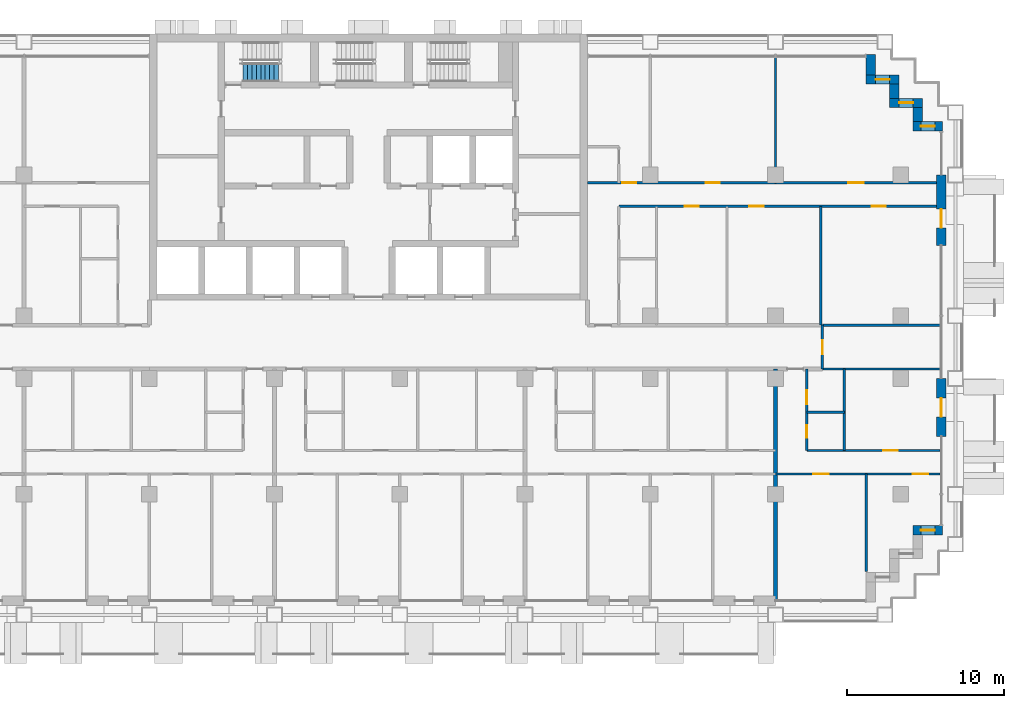
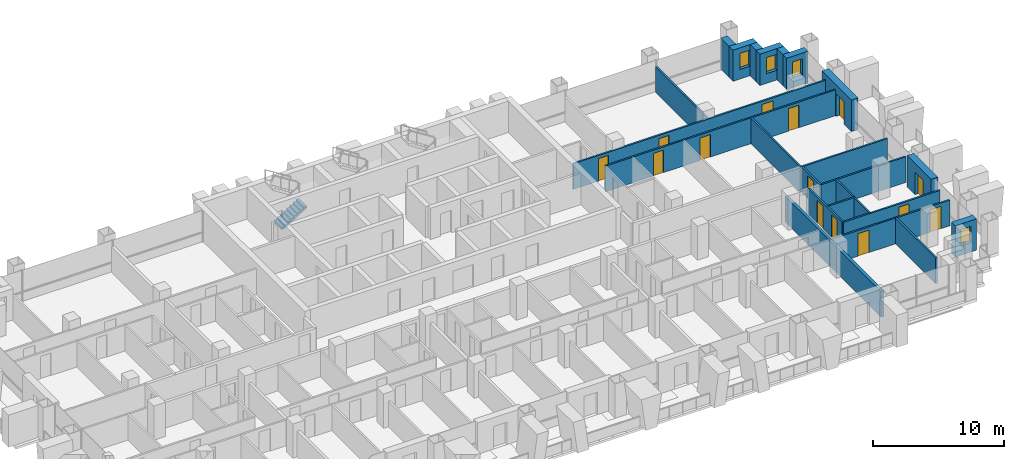
# One storey, part 14 of 19: 23 walls, 14 doors, 4 windows, 1 stair flight, 18 openings, 1 element without a shape of its own.
"""IFC4 building model written with IfcOpenShell, lengths in metres."""

from ifc_helpers import new_model, si_unit, direction, frame, frame_2d, origin, place, context, subcontext, project, spatial, polyline, rectangle, outline, extrude, material, layer, layer_set, type_object, element, fill, aggregate, save


model = new_model("IFC4")

# Units and contexts
model_context = context("Model", 3, precision=1e-05, world=origin(), true_north=direction((0.0, 1.0)))
body_context = subcontext(model_context, "Body", "Model", "MODEL_VIEW")
ifc_project = project(units=[si_unit("LENGTHUNIT", "METRE"), si_unit("AREAUNIT", "SQUARE_METRE"), si_unit("VOLUMEUNIT", "CUBIC_METRE"), si_unit("PLANEANGLEUNIT", "RADIAN"), si_unit("MASSUNIT", "GRAM", prefix="KILO")], contexts=[model_context])

# Site, building, storey
site_placement = place(None, origin())
site = spatial("IfcSite", under=ifc_project, at=site_placement, CompositionType="ELEMENT")
building_placement = place(site_placement, origin())
building = spatial("IfcBuilding", under=site, at=building_placement, Name="Vidyagriha Tower", CompositionType="ELEMENT")
storey_placement = place(building_placement, frame((0.0, 0.0, 57.60009765625)))
storey = spatial("IfcBuildingStorey", under=building, at=storey_placement, Name="L15", CompositionType="ELEMENT", Elevation=57.60009765625)

# Wall, opening, window
ifc_material_1 = material(Name="Precast concrete C40/50 with brick facing", Category="concrete")
ifc_layer_1 = layer(ifc_material_1, 0.60009765625)
ifc_layer_set_1 = layer_set([ifc_layer_1], Name="Precast concrete C40/50 with brick facing")
wall_type_1 = type_object("IfcWallType", Name="Brick-faced precast wall 600", PredefinedType="STANDARD", material=ifc_layer_set_1)
wall_1_placement = place(storey_placement, frame((36.679931640625, 14.10009765625, 0.0), z_axis=(0.0, 0.0, 1.0), x_axis=(-1.0, 0.0, 0.0)))
wall_1 = element("IfcWall", 1, at=wall_1_placement, inside=storey, type_object=wall_type_1, Name="Stepped corner wall L15 R01", PredefinedType="STANDARD", context=body_context, shape_type="SweptSolid", body=[
    extrude(rectangle(XDim=1.8798828125, YDim=0.60009765625, at=frame_2d((0.93994140625, 0.0))), origin(), (0.0, 0.0, 1.0), 2.919921875),
])
opening_1_placement = place(wall_1_placement, frame((0.489990234375, 0.0, 0.89990234375)))
opening_1 = element("IfcOpeningElement", 2, at=opening_1_placement, cuts=wall_1, Name="Opening WN1", PredefinedType="OPENING", context=body_context, shape_type="SweptSolid", body=[
    extrude(rectangle(XDim=0.89990234375, YDim=1.5, at=frame_2d((0.449951171875, 0.75))), frame((0.0, 0.31005859375, 0.0), z_axis=(0.0, -1.0, 0.0), x_axis=(1.0, 0.0, 0.0)), (0.0, 0.0, 1.0), 0.6201171875),
])
ifc_material_2 = material(Name="Aluminium and glass window", Category="aluminium")
window_type = type_object("IfcWindowType", Name="Reveal window 900x1500", PartitioningType="NOTDEFINED", PredefinedType="WINDOW", material=ifc_material_2)
window_1_placement = place(opening_1_placement, origin())
window_1 = element("IfcWindow", 3, at=window_1_placement, inside=storey, type_object=window_type, Name="Reveal window L15 R01", OverallHeight=1.5, OverallWidth=0.89990234375, PartitioningType="SINGLE_PANEL", PredefinedType="WINDOW", context=body_context, shape_type="SweptSolid", body=[
    extrude(rectangle(XDim=0.89990234375, YDim=1.5, at=frame_2d((0.449951171875, 0.75))), frame((0.0, 0.030029296875, 0.0), z_axis=(0.0, -1.0, 0.0), x_axis=(1.0, 0.0, 0.0)), (0.0, 0.0, 1.0), 0.06005859375),
])
fill(opening_1, window_1)

# Wall
wall_2_placement = place(storey_placement, frame((35.10009765625, 14.39990234375, 0.0), z_axis=(0.0, 0.0, 1.0), x_axis=(0.0, 1.0, 0.0)))
element("IfcWall", 4, at=wall_2_placement, inside=storey, type_object=wall_type_1, Name="Stepped corner wall L15 R02", PredefinedType="STANDARD", context=body_context, shape_type="SweptSolid", body=[
    extrude(rectangle(XDim=0.900146484375, YDim=0.60009765625, at=frame_2d((0.4501953125, 0.0))), origin(), (0.0, 0.0, 1.0), 2.919921875),
])

# Wall, opening, window
wall_3_placement = place(storey_placement, frame((35.39990234375, 15.60009765625, 0.0), z_axis=(0.0, 0.0, 1.0), x_axis=(-1.0, 0.0, 0.0)))
wall_3 = element("IfcWall", 5, at=wall_3_placement, inside=storey, type_object=wall_type_1, Name="Stepped corner wall L15 R03", PredefinedType="STANDARD", context=body_context, shape_type="SweptSolid", body=[
    extrude(rectangle(XDim=2.099853515625, YDim=0.60009765625, at=frame_2d((1.0498046875, 0.0))), origin(), (0.0, 0.0, 1.0), 2.919921875),
])
opening_2_placement = place(wall_3_placement, frame((0.60009765625, 0.0, 0.89990234375)))
opening_2 = element("IfcOpeningElement", 6, at=opening_2_placement, cuts=wall_3, Name="Opening WN1", PredefinedType="OPENING", context=body_context, shape_type="SweptSolid", body=[
    extrude(rectangle(XDim=0.89990234375, YDim=1.5, at=frame_2d((0.449951171875, 0.75))), frame((0.0, 0.31005859375, 0.0), z_axis=(0.0, -1.0, 0.0), x_axis=(1.0, 0.0, 0.0)), (0.0, 0.0, 1.0), 0.6201171875),
])
window_2_placement = place(opening_2_placement, origin())
window_2 = element("IfcWindow", 7, at=window_2_placement, inside=storey, type_object=window_type, Name="Reveal window L15 R03", OverallHeight=1.5, OverallWidth=0.89990234375, PartitioningType="SINGLE_PANEL", PredefinedType="WINDOW", context=body_context, shape_type="SweptSolid", body=[
    extrude(rectangle(XDim=0.89990234375, YDim=1.5, at=frame_2d((0.449951171875, 0.75))), frame((0.0, 0.030029296875, 0.0), z_axis=(0.0, -1.0, 0.0), x_axis=(1.0, 0.0, 0.0)), (0.0, 0.0, 1.0), 0.06005859375),
])
fill(opening_2, window_2)

# Wall
wall_4_placement = place(storey_placement, frame((33.60009765625, 15.89990234375, 0.0), z_axis=(0.0, 0.0, 1.0), x_axis=(0.0, 1.0, 0.0)))
element("IfcWall", 8, at=wall_4_placement, inside=storey, type_object=wall_type_1, Name="Stepped corner wall L15 R04", PredefinedType="STANDARD", context=body_context, shape_type="SweptSolid", body=[
    extrude(rectangle(XDim=0.900146484375, YDim=0.60009765625, at=frame_2d((0.4501953125, 0.0))), origin(), (0.0, 0.0, 1.0), 2.919921875),
])

# Wall, opening, window
wall_5_placement = place(storey_placement, frame((33.89990234375, 17.10009765625, 0.0), z_axis=(0.0, 0.0, 1.0), x_axis=(-1.0, 0.0, 0.0)))
wall_5 = element("IfcWall", 9, at=wall_5_placement, inside=storey, type_object=wall_type_1, Name="Stepped corner wall L15 R05", PredefinedType="STANDARD", context=body_context, shape_type="SweptSolid", body=[
    extrude(rectangle(XDim=2.099853515625, YDim=0.60009765625, at=frame_2d((1.0498046875, 0.0))), origin(), (0.0, 0.0, 1.0), 2.919921875),
])
opening_3_placement = place(wall_5_placement, frame((0.60009765625, 0.0, 0.89990234375)))
opening_3 = element("IfcOpeningElement", 10, at=opening_3_placement, cuts=wall_5, Name="Opening WN1", PredefinedType="OPENING", context=body_context, shape_type="SweptSolid", body=[
    extrude(rectangle(XDim=0.89990234375, YDim=1.5, at=frame_2d((0.449951171875, 0.75))), frame((0.0, 0.31005859375, 0.0), z_axis=(0.0, -1.0, 0.0), x_axis=(1.0, 0.0, 0.0)), (0.0, 0.0, 1.0), 0.6201171875),
])
window_3_placement = place(opening_3_placement, origin())
window_3 = element("IfcWindow", 11, at=window_3_placement, inside=storey, type_object=window_type, Name="Reveal window L15 R05", OverallHeight=1.5, OverallWidth=0.89990234375, PartitioningType="SINGLE_PANEL", PredefinedType="WINDOW", context=body_context, shape_type="SweptSolid", body=[
    extrude(rectangle(XDim=0.89990234375, YDim=1.5, at=frame_2d((0.449951171875, 0.75))), frame((0.0, 0.030029296875, 0.0), z_axis=(0.0, -1.0, 0.0), x_axis=(1.0, 0.0, 0.0)), (0.0, 0.0, 1.0), 0.06005859375),
])
fill(opening_3, window_3)

# Wall
wall_6_placement = place(storey_placement, frame((32.10009765625, 17.39990234375, 0.0), z_axis=(0.0, 0.0, 1.0), x_axis=(0.0, 1.0, 0.0)))
element("IfcWall", 12, at=wall_6_placement, inside=storey, type_object=wall_type_1, Name="Stepped corner wall L15 R06", PredefinedType="STANDARD", context=body_context, shape_type="SweptSolid", body=[
    extrude(rectangle(XDim=1.280029296875, YDim=0.60009765625, at=frame_2d((0.64013671875, 0.0))), origin(), (0.0, 0.0, 1.0), 2.919921875),
])

# Wall, opening, window
wall_7_placement = place(storey_placement, frame((34.800048828125, -11.699951171875, 0.0)))
wall_7 = element("IfcWall", 13, at=wall_7_placement, inside=storey, type_object=wall_type_1, Name="Stepped corner wall L15 R29", PredefinedType="STANDARD", context=body_context, shape_type="SweptSolid", body=[
    extrude(rectangle(XDim=1.8798828125, YDim=0.60009765625, at=frame_2d((0.93994140625, 0.0))), origin(), (0.0, 0.0, 1.0), 2.919921875),
])
opening_4_placement = place(wall_7_placement, frame((0.489990234375, 0.0, 0.89990234375)))
opening_4 = element("IfcOpeningElement", 14, at=opening_4_placement, cuts=wall_7, Name="Opening WN1", PredefinedType="OPENING", context=body_context, shape_type="SweptSolid", body=[
    extrude(rectangle(XDim=0.89990234375, YDim=1.5, at=frame_2d((0.449951171875, 0.75))), frame((0.0, 0.31005859375, 0.0), z_axis=(0.0, -1.0, 0.0), x_axis=(1.0, 0.0, 0.0)), (0.0, 0.0, 1.0), 0.6201171875),
])
window_4_placement = place(opening_4_placement, origin())
window_4 = element("IfcWindow", 15, at=window_4_placement, inside=storey, type_object=window_type, Name="Reveal window L15 R29", OverallHeight=1.5, OverallWidth=0.89990234375, PartitioningType="SINGLE_PANEL", PredefinedType="WINDOW", context=body_context, shape_type="SweptSolid", body=[
    extrude(rectangle(XDim=0.89990234375, YDim=1.5, at=frame_2d((0.449951171875, 0.75))), frame((0.0, 0.030029296875, 0.0), z_axis=(0.0, -1.0, 0.0), x_axis=(1.0, 0.0, 0.0)), (0.0, 0.0, 1.0), 0.06005859375),
])
fill(opening_4, window_4)

# Wall, opening, door
wall_8_placement = place(storey_placement, frame((36.60009765625, -5.699951171875, 0.0), z_axis=(0.0, 0.0, 1.0), x_axis=(0.0, 1.0, 0.0)))
wall_8 = element("IfcWall", 16, at=wall_8_placement, inside=storey, type_object=wall_type_1, Name="Brick door bay wall L15 R30.3", PredefinedType="STANDARD", context=body_context, shape_type="SweptSolid", body=[
    extrude(rectangle(XDim=3.699951171875, YDim=0.60009765625, at=frame_2d((1.85009765625, 0.0))), origin(), (0.0, 0.0, 1.0), 2.919921875),
])
opening_5_placement = place(wall_8_placement, frame((1.25, 0.0, 0.0)))
opening_5 = element("IfcOpeningElement", 17, at=opening_5_placement, cuts=wall_8, Name="Opening D15-91", PredefinedType="OPENING", context=body_context, shape_type="SweptSolid", body=[
    extrude(rectangle(XDim=1.199951171875, YDim=2.10009765625, at=frame_2d((0.60009765625, 1.050048828125))), frame((0.0, 0.31005859375, 0.0), z_axis=(0.0, -1.0, 0.0), x_axis=(1.0, 0.0, 0.0)), (0.0, 0.0, 1.0), 0.6201171875),
])
ifc_material_3 = material(Name="Aluminium framed glazed sliding door", Category="aluminium")
door_type_1 = type_object("IfcDoorType", Name="Balcony sliding door 1200x2100", OperationType="NOTDEFINED", PredefinedType="DOOR", material=ifc_material_3)
door_1_placement = place(opening_5_placement, origin())
door_1 = element("IfcDoor", 18, at=door_1_placement, inside=storey, type_object=door_type_1, Name="Door D15-91", OperationType="SLIDING_TO_LEFT", OverallHeight=2.10009765625, OverallWidth=1.199951171875, PredefinedType="DOOR", context=body_context, shape_type="SweptSolid", body=[
    extrude(rectangle(XDim=1.199951171875, YDim=2.10009765625, at=frame_2d((0.60009765625, 1.050048828125))), frame((0.0, 0.02490234375, 0.0), z_axis=(0.0, -1.0, 0.0), x_axis=(1.0, 0.0, 0.0)), (0.0, 0.0, 1.0), 0.050048828125),
])
fill(opening_5, door_1)

wall_9_placement = place(storey_placement, frame((36.60009765625, 6.5, 0.0), z_axis=(0.0, 0.0, 1.0), x_axis=(0.0, 1.0, 0.0)))
wall_9 = element("IfcWall", 19, at=wall_9_placement, inside=storey, type_object=wall_type_1, Name="Brick door bay wall L15 R30.6", PredefinedType="STANDARD", context=body_context, shape_type="SweptSolid", body=[
    extrude(rectangle(XDim=4.5, YDim=0.60009765625, at=frame_2d((2.25, 0.0))), origin(), (0.0, 0.0, 1.0), 2.919921875),
])
opening_6_placement = place(wall_9_placement, frame((1.125, 0.0, 0.0)))
opening_6 = element("IfcOpeningElement", 20, at=opening_6_placement, cuts=wall_9, Name="Opening D15-92", PredefinedType="OPENING", context=body_context, shape_type="SweptSolid", body=[
    extrude(rectangle(XDim=1.199951171875, YDim=2.10009765625, at=frame_2d((0.60009765625, 1.050048828125))), frame((0.0, 0.31005859375, 0.0), z_axis=(0.0, -1.0, 0.0), x_axis=(1.0, 0.0, 0.0)), (0.0, 0.0, 1.0), 0.6201171875),
])
door_2_placement = place(opening_6_placement, origin())
door_2 = element("IfcDoor", 21, at=door_2_placement, inside=storey, type_object=door_type_1, Name="Door D15-92", OperationType="SLIDING_TO_LEFT", OverallHeight=2.10009765625, OverallWidth=1.199951171875, PredefinedType="DOOR", context=body_context, shape_type="SweptSolid", body=[
    extrude(rectangle(XDim=1.199951171875, YDim=2.10009765625, at=frame_2d((0.60009765625, 1.050048828125))), frame((0.0, 0.02490234375, 0.0), z_axis=(0.0, -1.0, 0.0), x_axis=(1.0, 0.0, 0.0)), (0.0, 0.0, 1.0), 0.050048828125),
])
fill(opening_6, door_2)

# Walls
ifc_material_4 = material(Name="Fired clay brick masonry", Category="masonry")
ifc_layer_2 = layer(ifc_material_4, 0.25)
ifc_layer_set_2 = layer_set([ifc_layer_2], Name="Fired clay brick masonry")
wall_type_2 = type_object("IfcWallType", Name="Fired clay brick demising wall 250", PredefinedType="PARTITIONING", material=ifc_layer_set_2)
wall_10_placement = place(storey_placement, frame((26.0, -1.39990234375, 0.0), z_axis=(0.0, 0.0, 1.0), x_axis=(0.0, -1.0, 0.0)))
element("IfcWall", 22, at=wall_10_placement, inside=storey, type_object=wall_type_2, Name="Wall all-L15-w092", PredefinedType="PARTITIONING", context=body_context, shape_type="SweptSolid", body=[
    extrude(rectangle(XDim=14.710205078125, YDim=0.25, at=frame_2d((7.35498046875, 0.0))), origin(), (0.0, 0.0, 1.0), 2.39990234375),
])
ifc_material_5 = material(Name="Gypsum board partition")
ifc_layer_3 = layer(ifc_material_5, 0.14990234375)
ifc_layer_set_3 = layer_set([ifc_layer_3], Name="Gypsum board partition")
wall_type_3 = type_object("IfcWallType", Name="Gypsum board partition 150", PredefinedType="PARTITIONING", material=ifc_layer_set_3)
wall_11_placement = place(storey_placement, frame((30.39990234375, -4.14990234375, 0.0), z_axis=(0.0, 0.0, 1.0), x_axis=(-1.0, 0.0, 0.0)))
element("IfcWall", 23, at=wall_11_placement, inside=storey, type_object=wall_type_3, Name="Wall all-L15-w083", PredefinedType="PARTITIONING", context=body_context, shape_type="SweptSolid", body=[
    extrude(rectangle(XDim=2.39990234375, YDim=0.14990234375, at=frame_2d((1.199951171875, 0.0))), origin(), (0.0, 0.0, 1.0), 2.39990234375),
])
wall_12_placement = place(storey_placement, frame((30.39990234375, -1.39990234375, 0.0), z_axis=(0.0, 0.0, 1.0), x_axis=(0.0, -1.0, 0.0)))
element("IfcWall", 24, at=wall_12_placement, inside=storey, type_object=wall_type_3, Name="Wall all-L15-w084", PredefinedType="PARTITIONING", context=body_context, shape_type="SweptSolid", body=[
    extrude(rectangle(XDim=5.2001953125, YDim=0.14990234375, at=frame_2d((2.60009765625, 0.0))), origin(), (0.0, 0.0, 1.0), 2.39990234375),
])

# Wall, opening, door
wall_13_placement = place(storey_placement, frame((28.0, -6.60009765625, 0.0)))
wall_13 = element("IfcWall", 25, at=wall_13_placement, inside=storey, type_object=wall_type_3, Name="Wall all-L15-w085", PredefinedType="PARTITIONING", context=body_context, shape_type="SweptSolid", body=[
    extrude(rectangle(XDim=8.52001953125, YDim=0.14990234375, at=frame_2d((4.260009765625, 0.0))), origin(), (0.0, 0.0, 1.0), 2.39990234375),
])
opening_7_placement = place(wall_13_placement, frame((4.89990234375, 0.0, 0.0)))
opening_7 = element("IfcOpeningElement", 26, at=opening_7_placement, cuts=wall_13, Name="Opening D15-54", PredefinedType="OPENING", context=body_context, shape_type="SweptSolid", body=[
    extrude(rectangle(XDim=0.89990234375, YDim=2.10009765625, at=frame_2d((0.449951171875, 1.050048828125))), frame((0.0, 0.0849609375, 0.0), z_axis=(0.0, -1.0, 0.0), x_axis=(1.0, 0.0, 0.0)), (0.0, 0.0, 1.0), 0.169921875),
])
ifc_material_6 = material(Name="Timber door leaf", Category="wood")
door_type_2 = type_object("IfcDoorType", Name="Room door 900x2100", OperationType="NOTDEFINED", PredefinedType="DOOR", material=ifc_material_6)
door_3_placement = place(opening_7_placement, origin())
door_3 = element("IfcDoor", 27, at=door_3_placement, inside=storey, type_object=door_type_2, Name="Door D15-54", OperationType="SINGLE_SWING_RIGHT", OverallHeight=2.10009765625, OverallWidth=0.89990234375, PredefinedType="DOOR", context=body_context, shape_type="SweptSolid", body=[
    extrude(rectangle(XDim=0.89990234375, YDim=2.10009765625, at=frame_2d((0.449951171875, 1.050048828125))), frame((0.0, 0.02490234375, 0.0), z_axis=(0.0, -1.0, 0.0), x_axis=(1.0, 0.0, 0.0)), (0.0, 0.0, 1.0), 0.050048828125),
])
fill(opening_7, door_3)

# Wall, openings, doors
wall_14_placement = place(storey_placement, frame((36.52001953125, -8.10009765625, 0.0), z_axis=(0.0, 0.0, 1.0), x_axis=(-1.0, 0.0, 0.0)))
wall_14 = element("IfcWall", 28, at=wall_14_placement, inside=storey, type_object=wall_type_3, Name="Wall all-L15-w087", PredefinedType="PARTITIONING", context=body_context, shape_type="SweptSolid", body=[
    extrude(rectangle(XDim=10.52001953125, YDim=0.14990234375, at=frame_2d((5.260009765625, 0.0))), origin(), (0.0, 0.0, 1.0), 2.39990234375),
])
opening_8_placement = place(wall_14_placement, frame((7.1201171875, 0.0, 0.0)))
opening_8 = element("IfcOpeningElement", 29, at=opening_8_placement, cuts=wall_14, Name="Opening D15-55", PredefinedType="OPENING", context=body_context, shape_type="SweptSolid", body=[
    extrude(rectangle(XDim=1.0, YDim=2.10009765625, at=frame_2d((0.5, 1.050048828125))), frame((0.0, 0.0849609375, 0.0), z_axis=(0.0, -1.0, 0.0), x_axis=(1.0, 0.0, 0.0)), (0.0, 0.0, 1.0), 0.169921875),
])
opening_9_placement = place(wall_14_placement, frame((0.760009765625, 0.0, 0.0)))
opening_9 = element("IfcOpeningElement", 30, at=opening_9_placement, cuts=wall_14, Name="Opening D15-56", PredefinedType="OPENING", context=body_context, shape_type="SweptSolid", body=[
    extrude(rectangle(XDim=1.0, YDim=2.10009765625, at=frame_2d((0.5, 1.050048828125))), frame((0.0, 0.0849609375, 0.0), z_axis=(0.0, -1.0, 0.0), x_axis=(1.0, 0.0, 0.0)), (0.0, 0.0, 1.0), 0.169921875),
])
ifc_material_7 = material(Name="Timber door leaf", Category="wood")
door_type_3 = type_object("IfcDoorType", Name="Room door 1000x2100", OperationType="NOTDEFINED", PredefinedType="DOOR", material=ifc_material_7)
door_4_placement = place(opening_8_placement, origin())
door_4 = element("IfcDoor", 31, at=door_4_placement, inside=storey, type_object=door_type_3, Name="Door D15-55", OperationType="SINGLE_SWING_RIGHT", OverallHeight=2.10009765625, OverallWidth=1.0, PredefinedType="DOOR", context=body_context, shape_type="SweptSolid", body=[
    extrude(rectangle(XDim=1.0, YDim=2.10009765625, at=frame_2d((0.5, 1.050048828125))), frame((0.0, 0.02490234375, 0.0), z_axis=(0.0, -1.0, 0.0), x_axis=(1.0, 0.0, 0.0)), (0.0, 0.0, 1.0), 0.050048828125),
])
fill(opening_8, door_4)
door_5_placement = place(opening_9_placement, origin())
door_5 = element("IfcDoor", 32, at=door_5_placement, inside=storey, type_object=door_type_3, Name="Door D15-56", OperationType="SINGLE_SWING_LEFT", OverallHeight=2.10009765625, OverallWidth=1.0, PredefinedType="DOOR", context=body_context, shape_type="SweptSolid", body=[
    extrude(rectangle(XDim=1.0, YDim=2.10009765625, at=frame_2d((0.5, 1.050048828125))), frame((0.0, 0.02490234375, 0.0), z_axis=(0.0, -1.0, 0.0), x_axis=(1.0, 0.0, 0.0)), (0.0, 0.0, 1.0), 0.050048828125),
])
fill(opening_9, door_5)

# Walls
wall_15_placement = place(storey_placement, frame((31.800048828125, -8.10009765625, 0.0), z_axis=(0.0, 0.0, 1.0), x_axis=(0.0, -1.0, 0.0)))
element("IfcWall", 33, at=wall_15_placement, inside=storey, type_object=wall_type_3, Name="Wall all-L15-w090", PredefinedType="PARTITIONING", context=body_context, shape_type="SweptSolid", body=[
    extrude(rectangle(XDim=6.219970703125, YDim=0.14990234375, at=frame_2d((3.10986328125, 0.0))), origin(), (0.0, 0.0, 1.0), 2.39990234375),
])
wall_16_placement = place(storey_placement, frame((36.52001953125, -1.39990234375, 0.0), z_axis=(0.0, 0.0, 1.0), x_axis=(-1.0, 0.0, 0.0)))
element("IfcWall", 34, at=wall_16_placement, inside=storey, type_object=wall_type_3, Name="Wall all-L15-w096", PredefinedType="PARTITIONING", context=body_context, shape_type="SweptSolid", body=[
    extrude(rectangle(XDim=7.52001953125, YDim=0.14990234375, at=frame_2d((3.760009765625, 0.0))), origin(), (0.0, 0.0, 1.0), 2.39990234375),
])
wall_17_placement = place(storey_placement, frame((28.89990234375, 9.0, 0.0), z_axis=(0.0, 0.0, 1.0), x_axis=(0.0, -1.0, 0.0)))
element("IfcWall", 35, at=wall_17_placement, inside=storey, type_object=wall_type_3, Name="Wall all-L15-w130", PredefinedType="PARTITIONING", context=body_context, shape_type="SweptSolid", body=[
    extrude(rectangle(XDim=7.60009765625, YDim=0.14990234375, at=frame_2d((3.800048828125, 0.0))), origin(), (0.0, 0.0, 1.0), 2.39990234375),
])

# Wall, openings, doors
wall_18_placement = place(storey_placement, frame((36.510009765625, 9.0, 0.0), z_axis=(0.0, 0.0, 1.0), x_axis=(-1.0, 0.0, 0.0)))
wall_18 = element("IfcWall", 36, at=wall_18_placement, inside=storey, type_object=wall_type_3, Name="Wall all-L15-w131", PredefinedType="PARTITIONING", context=body_context, shape_type="SweptSolid", body=[
    extrude(rectangle(XDim=20.510009765625, YDim=0.14990234375, at=frame_2d((10.2548828125, 0.0))), origin(), (0.0, 0.0, 1.0), 2.39990234375),
])
opening_10_placement = place(wall_18_placement, frame((15.409912109375, 0.0, 0.0)))
opening_10 = element("IfcOpeningElement", 37, at=opening_10_placement, cuts=wall_18, Name="Opening D15-72", PredefinedType="OPENING", context=body_context, shape_type="SweptSolid", body=[
    extrude(rectangle(XDim=0.89990234375, YDim=2.10009765625, at=frame_2d((0.449951171875, 1.050048828125))), frame((0.0, 0.0849609375, 0.0), z_axis=(0.0, -1.0, 0.0), x_axis=(1.0, 0.0, 0.0)), (0.0, 0.0, 1.0), 0.169921875),
])
opening_11_placement = place(wall_18_placement, frame((11.27001953125, 0.0, 0.0)))
opening_11 = element("IfcOpeningElement", 38, at=opening_11_placement, cuts=wall_18, Name="Opening D15-73", PredefinedType="OPENING", context=body_context, shape_type="SweptSolid", body=[
    extrude(rectangle(XDim=0.89990234375, YDim=2.10009765625, at=frame_2d((0.449951171875, 1.050048828125))), frame((0.0, 0.0849609375, 0.0), z_axis=(0.0, -1.0, 0.0), x_axis=(1.0, 0.0, 0.0)), (0.0, 0.0, 1.0), 0.169921875),
])
opening_12_placement = place(wall_18_placement, frame((3.4599609375, 0.0, 0.0)))
opening_12 = element("IfcOpeningElement", 39, at=opening_12_placement, cuts=wall_18, Name="Opening D15-74", PredefinedType="OPENING", context=body_context, shape_type="SweptSolid", body=[
    extrude(rectangle(XDim=0.89990234375, YDim=2.10009765625, at=frame_2d((0.449951171875, 1.050048828125))), frame((0.0, 0.0849609375, 0.0), z_axis=(0.0, -1.0, 0.0), x_axis=(1.0, 0.0, 0.0)), (0.0, 0.0, 1.0), 0.169921875),
])
door_6_placement = place(opening_10_placement, origin())
door_6 = element("IfcDoor", 40, at=door_6_placement, inside=storey, type_object=door_type_2, Name="Door D15-72", OperationType="SINGLE_SWING_RIGHT", OverallHeight=2.10009765625, OverallWidth=0.89990234375, PredefinedType="DOOR", context=body_context, shape_type="SweptSolid", body=[
    extrude(rectangle(XDim=0.89990234375, YDim=2.10009765625, at=frame_2d((0.449951171875, 1.050048828125))), frame((0.0, 0.02490234375, 0.0), z_axis=(0.0, -1.0, 0.0), x_axis=(1.0, 0.0, 0.0)), (0.0, 0.0, 1.0), 0.050048828125),
])
fill(opening_10, door_6)
door_7_placement = place(opening_11_placement, origin())
door_7 = element("IfcDoor", 41, at=door_7_placement, inside=storey, type_object=door_type_2, Name="Door D15-73", OperationType="SINGLE_SWING_RIGHT", OverallHeight=2.10009765625, OverallWidth=0.89990234375, PredefinedType="DOOR", context=body_context, shape_type="SweptSolid", body=[
    extrude(rectangle(XDim=0.89990234375, YDim=2.10009765625, at=frame_2d((0.449951171875, 1.050048828125))), frame((0.0, 0.02490234375, 0.0), z_axis=(0.0, -1.0, 0.0), x_axis=(1.0, 0.0, 0.0)), (0.0, 0.0, 1.0), 0.050048828125),
])
fill(opening_11, door_7)
door_8_placement = place(opening_12_placement, origin())
door_8 = element("IfcDoor", 42, at=door_8_placement, inside=storey, type_object=door_type_2, Name="Door D15-74", OperationType="SINGLE_SWING_LEFT", OverallHeight=2.10009765625, OverallWidth=0.89990234375, PredefinedType="DOOR", context=body_context, shape_type="SweptSolid", body=[
    extrude(rectangle(XDim=0.89990234375, YDim=2.10009765625, at=frame_2d((0.449951171875, 1.050048828125))), frame((0.0, 0.02490234375, 0.0), z_axis=(0.0, -1.0, 0.0), x_axis=(1.0, 0.0, 0.0)), (0.0, 0.0, 1.0), 0.050048828125),
])
fill(opening_12, door_8)

wall_19_placement = place(storey_placement, frame((14.0, 10.5, 0.0)))
wall_19 = element("IfcWall", 43, at=wall_19_placement, inside=storey, type_object=wall_type_3, Name="Wall all-L15-w135", PredefinedType="PARTITIONING", context=body_context, shape_type="SweptSolid", body=[
    extrude(rectangle(XDim=22.510009765625, YDim=0.14990234375, at=frame_2d((11.2548828125, 0.0))), origin(), (0.0, 0.0, 1.0), 2.39990234375),
])
opening_13_placement = place(wall_19_placement, frame((2.2099609375, 0.0, 0.0)))
opening_13 = element("IfcOpeningElement", 44, at=opening_13_placement, cuts=wall_19, Name="Opening D15-75", PredefinedType="OPENING", context=body_context, shape_type="SweptSolid", body=[
    extrude(rectangle(XDim=0.89990234375, YDim=2.10009765625, at=frame_2d((0.449951171875, 1.050048828125))), frame((0.0, 0.0849609375, 0.0), z_axis=(0.0, -1.0, 0.0), x_axis=(1.0, 0.0, 0.0)), (0.0, 0.0, 1.0), 0.169921875),
])
opening_14_placement = place(wall_19_placement, frame((7.550048828125, 0.0, 0.0)))
opening_14 = element("IfcOpeningElement", 45, at=opening_14_placement, cuts=wall_19, Name="Opening D15-76", PredefinedType="OPENING", context=body_context, shape_type="SweptSolid", body=[
    extrude(rectangle(XDim=0.89990234375, YDim=2.10009765625, at=frame_2d((0.449951171875, 1.050048828125))), frame((0.0, 0.0849609375, 0.0), z_axis=(0.0, -1.0, 0.0), x_axis=(1.0, 0.0, 0.0)), (0.0, 0.0, 1.0), 0.169921875),
])
opening_15_placement = place(wall_19_placement, frame((16.64990234375, 0.0, 0.0)))
opening_15 = element("IfcOpeningElement", 46, at=opening_15_placement, cuts=wall_19, Name="Opening D15-77", PredefinedType="OPENING", context=body_context, shape_type="SweptSolid", body=[
    extrude(rectangle(XDim=1.0, YDim=2.10009765625, at=frame_2d((0.5, 1.050048828125))), frame((0.0, 0.0849609375, 0.0), z_axis=(0.0, -1.0, 0.0), x_axis=(1.0, 0.0, 0.0)), (0.0, 0.0, 1.0), 0.169921875),
])
door_9_placement = place(opening_15_placement, origin())
door_9 = element("IfcDoor", 47, at=door_9_placement, inside=storey, type_object=door_type_3, Name="Door D15-77", OperationType="SINGLE_SWING_RIGHT", OverallHeight=2.10009765625, OverallWidth=1.0, PredefinedType="DOOR", context=body_context, shape_type="SweptSolid", body=[
    extrude(rectangle(XDim=1.0, YDim=2.10009765625, at=frame_2d((0.5, 1.050048828125))), frame((0.0, 0.02490234375, 0.0), z_axis=(0.0, -1.0, 0.0), x_axis=(1.0, 0.0, 0.0)), (0.0, 0.0, 1.0), 0.050048828125),
])
fill(opening_15, door_9)
door_10_placement = place(opening_13_placement, origin())
door_10 = element("IfcDoor", 48, at=door_10_placement, inside=storey, type_object=door_type_2, Name="Door D15-75", OperationType="SINGLE_SWING_RIGHT", OverallHeight=2.10009765625, OverallWidth=0.89990234375, PredefinedType="DOOR", context=body_context, shape_type="SweptSolid", body=[
    extrude(rectangle(XDim=0.89990234375, YDim=2.10009765625, at=frame_2d((0.449951171875, 1.050048828125))), frame((0.0, 0.02490234375, 0.0), z_axis=(0.0, -1.0, 0.0), x_axis=(1.0, 0.0, 0.0)), (0.0, 0.0, 1.0), 0.050048828125),
])
fill(opening_13, door_10)
door_11_placement = place(opening_14_placement, origin())
door_11 = element("IfcDoor", 49, at=door_11_placement, inside=storey, type_object=door_type_2, Name="Door D15-76", OperationType="SINGLE_SWING_RIGHT", OverallHeight=2.10009765625, OverallWidth=0.89990234375, PredefinedType="DOOR", context=body_context, shape_type="SweptSolid", body=[
    extrude(rectangle(XDim=0.89990234375, YDim=2.10009765625, at=frame_2d((0.449951171875, 1.050048828125))), frame((0.0, 0.02490234375, 0.0), z_axis=(0.0, -1.0, 0.0), x_axis=(1.0, 0.0, 0.0)), (0.0, 0.0, 1.0), 0.050048828125),
])
fill(opening_14, door_11)

# Walls
wall_20_placement = place(storey_placement, frame((26.0, 18.52099609375, 0.0), z_axis=(0.0, 0.0, 1.0), x_axis=(0.0, -1.0, 0.0)))
element("IfcWall", 50, at=wall_20_placement, inside=storey, type_object=wall_type_3, Name="Wall all-L15-w140", PredefinedType="PARTITIONING", context=body_context, shape_type="SweptSolid", body=[
    extrude(rectangle(XDim=8.02099609375, YDim=0.14990234375, at=frame_2d((4.010498046875, 0.0))), origin(), (0.0, 0.0, 1.0), 2.39990234375),
])
wall_21_placement = place(storey_placement, frame((29.0, 1.39990234375, 0.0)))
element("IfcWall", 51, at=wall_21_placement, inside=storey, type_object=wall_type_3, Name="Wall all-L15-w146", PredefinedType="PARTITIONING", context=body_context, shape_type="SweptSolid", body=[
    extrude(rectangle(XDim=7.52001953125, YDim=0.14990234375, at=frame_2d((3.760009765625, 0.0))), origin(), (0.0, 0.0, 1.0), 2.39990234375),
])

# Wall, opening, door
wall_22_placement = place(storey_placement, frame((29.0, -1.39990234375, 0.0), z_axis=(0.0, 0.0, 1.0), x_axis=(0.0, 1.0, 0.0)))
wall_22 = element("IfcWall", 52, at=wall_22_placement, inside=storey, type_object=wall_type_3, Name="Wall all-L15-w149", PredefinedType="PARTITIONING", context=body_context, shape_type="SweptSolid", body=[
    extrude(rectangle(XDim=2.7998046875, YDim=0.14990234375, at=frame_2d((1.39990234375, 0.0))), origin(), (0.0, 0.0, 1.0), 2.39990234375),
])
opening_16_placement = place(wall_22_placement, frame((0.949951171875, 0.0, 0.0)))
opening_16 = element("IfcOpeningElement", 53, at=opening_16_placement, cuts=wall_22, Name="Opening D15-81", PredefinedType="OPENING", context=body_context, shape_type="SweptSolid", body=[
    extrude(rectangle(XDim=0.89990234375, YDim=2.10009765625, at=frame_2d((0.449951171875, 1.050048828125))), frame((0.0, 0.0849609375, 0.0), z_axis=(0.0, -1.0, 0.0), x_axis=(1.0, 0.0, 0.0)), (0.0, 0.0, 1.0), 0.169921875),
])
door_12_placement = place(opening_16_placement, origin())
door_12 = element("IfcDoor", 54, at=door_12_placement, inside=storey, type_object=door_type_2, Name="Door D15-81", OperationType="SINGLE_SWING_RIGHT", OverallHeight=2.10009765625, OverallWidth=0.89990234375, PredefinedType="DOOR", context=body_context, shape_type="SweptSolid", body=[
    extrude(rectangle(XDim=0.89990234375, YDim=2.10009765625, at=frame_2d((0.449951171875, 1.050048828125))), frame((0.0, 0.02490234375, 0.0), z_axis=(0.0, -1.0, 0.0), x_axis=(1.0, 0.0, 0.0)), (0.0, 0.0, 1.0), 0.050048828125),
])
fill(opening_16, door_12)

# Wall, openings, doors
ifc_material_8 = material(Name="Moisture resistant gypsum board partition")
ifc_layer_4 = layer(ifc_material_8, 0.14990234375)
ifc_layer_set_4 = layer_set([ifc_layer_4], Name="Moisture resistant gypsum board partition")
wall_type_4 = type_object("IfcWallType", Name="Gypsum board wet-area partition 150", PredefinedType="PARTITIONING", material=ifc_layer_set_4)
wall_23_placement = place(storey_placement, frame((28.0, -1.39990234375, 0.0), z_axis=(0.0, 0.0, 1.0), x_axis=(0.0, -1.0, 0.0)))
wall_23 = element("IfcWall", 55, at=wall_23_placement, inside=storey, type_object=wall_type_4, Name="Wall all-L15-w080", PredefinedType="PARTITIONING", context=body_context, shape_type="SweptSolid", body=[
    extrude(rectangle(XDim=5.2001953125, YDim=0.14990234375, at=frame_2d((2.60009765625, 0.0))), origin(), (0.0, 0.0, 1.0), 2.39990234375),
])
opening_17_placement = place(wall_23_placement, frame((1.360107421875, 0.0, 0.0)))
opening_17 = element("IfcOpeningElement", 56, at=opening_17_placement, cuts=wall_23, Name="Opening D15-52", PredefinedType="OPENING", context=body_context, shape_type="SweptSolid", body=[
    extrude(rectangle(XDim=0.89990234375, YDim=2.10009765625, at=frame_2d((0.449951171875, 1.050048828125))), frame((0.0, 0.0849609375, 0.0), z_axis=(0.0, -1.0, 0.0), x_axis=(1.0, 0.0, 0.0)), (0.0, 0.0, 1.0), 0.169921875),
])
opening_18_placement = place(wall_23_placement, frame((3.574951171875, 0.0, 0.0)))
opening_18 = element("IfcOpeningElement", 57, at=opening_18_placement, cuts=wall_23, Name="Opening D15-53", PredefinedType="OPENING", context=body_context, shape_type="SweptSolid", body=[
    extrude(rectangle(XDim=0.800048828125, YDim=2.10009765625, at=frame_2d((0.39990234375, 1.050048828125))), frame((0.0, 0.0849609375, 0.0), z_axis=(0.0, -1.0, 0.0), x_axis=(1.0, 0.0, 0.0)), (0.0, 0.0, 1.0), 0.169921875),
])
ifc_material_9 = material(Name="Timber door leaf", Category="wood")
door_type_4 = type_object("IfcDoorType", Name="Bathroom door 800x2100", OperationType="NOTDEFINED", PredefinedType="DOOR", material=ifc_material_9)
door_13_placement = place(opening_18_placement, origin())
door_13 = element("IfcDoor", 58, at=door_13_placement, inside=storey, type_object=door_type_4, Name="Door D15-53", OperationType="SINGLE_SWING_RIGHT", OverallHeight=2.10009765625, OverallWidth=0.800048828125, PredefinedType="DOOR", context=body_context, shape_type="SweptSolid", body=[
    extrude(rectangle(XDim=0.800048828125, YDim=2.10009765625, at=frame_2d((0.39990234375, 1.050048828125))), frame((0.0, 0.02490234375, 0.0), z_axis=(0.0, -1.0, 0.0), x_axis=(1.0, 0.0, 0.0)), (0.0, 0.0, 1.0), 0.050048828125),
])
fill(opening_18, door_13)
ifc_material_10 = material(Name="Timber door leaf", Category="wood")
door_type_5 = type_object("IfcDoorType", Name="Kitchen door 900x2100", OperationType="NOTDEFINED", PredefinedType="DOOR", material=ifc_material_10)
door_14_placement = place(opening_17_placement, origin())
door_14 = element("IfcDoor", 59, at=door_14_placement, inside=storey, type_object=door_type_5, Name="Door D15-52", OperationType="SINGLE_SWING_RIGHT", OverallHeight=2.10009765625, OverallWidth=0.89990234375, PredefinedType="DOOR", context=body_context, shape_type="SweptSolid", body=[
    extrude(rectangle(XDim=0.89990234375, YDim=2.10009765625, at=frame_2d((0.449951171875, 1.050048828125))), frame((0.0, 0.02490234375, 0.0), z_axis=(0.0, -1.0, 0.0), x_axis=(1.0, 0.0, 0.0)), (0.0, 0.0, 1.0), 0.050048828125),
])
fill(opening_17, door_14)

# Stair, stair flight
ifc_material_11 = material(Name="Concrete C40/50", Category="concrete")
stair_type = type_object("IfcStairType", Name="Exit stair, half-turn, precast flights", PredefinedType="HALF_TURN_STAIR", material=ifc_material_11)
stair_placement = place(storey_placement, origin())
stair = element("IfcStair", 60, at=stair_placement, inside=storey, type_object=stair_type, Name="L15 Exit Stair ST1", PredefinedType="HALF_TURN_STAIR")
ifc_material_12 = material(Name="Precast concrete C40/50", Category="concrete")
stair_flight_type = type_object("IfcStairFlightType", Name="Exit stair flight 1200 mm, precast", PredefinedType="STRAIGHT", material=ifc_material_12)
stair_flight_placement = place(storey_placement, frame((-8.0, 17.550048828125, 0.0)))
stair_flight = element("IfcStairFlight", 61, at=stair_flight_placement, type_object=stair_flight_type, Name="ST1 flight 1", NumberOfRisers=9, NumberOfTreads=8, PredefinedType="STRAIGHT", RiserHeight=0.177777778, TreadLength=0.28, context=body_context, shape_type="SweptSolid", body=[
    extrude(outline(polyline([(0.0, 0.0), (0.0, 0.177734375), (0.280029296875, 0.177734375), (0.280029296875, 0.35546875), (0.56005859375, 0.35546875), (0.56005859375, 0.533447265625), (0.840087890625, 0.533447265625), (0.840087890625, 0.711181640625), (1.1201171875, 0.711181640625), (1.1201171875, 0.888916015625), (1.39990234375, 0.888916015625), (1.39990234375, 1.066650390625), (1.679931640625, 1.066650390625), (1.679931640625, 1.244384765625), (1.9599609375, 1.244384765625), (1.9599609375, 1.422119140625), (2.239990234375, 1.422119140625), (2.239990234375, 1.60009765625), (2.239990234375, 1.24462890625), (0.27978515625, 0.0), (0.0, 0.0)])), frame((0.0, 0.60009765625, 0.0), z_axis=(0.0, -1.0, 0.0), x_axis=(1.0, 0.0, 0.0)), (0.0, 0.0, 1.0), 1.199951171875),
])
aggregate(stair, [stair_flight])

save(model, "model.ifc")
